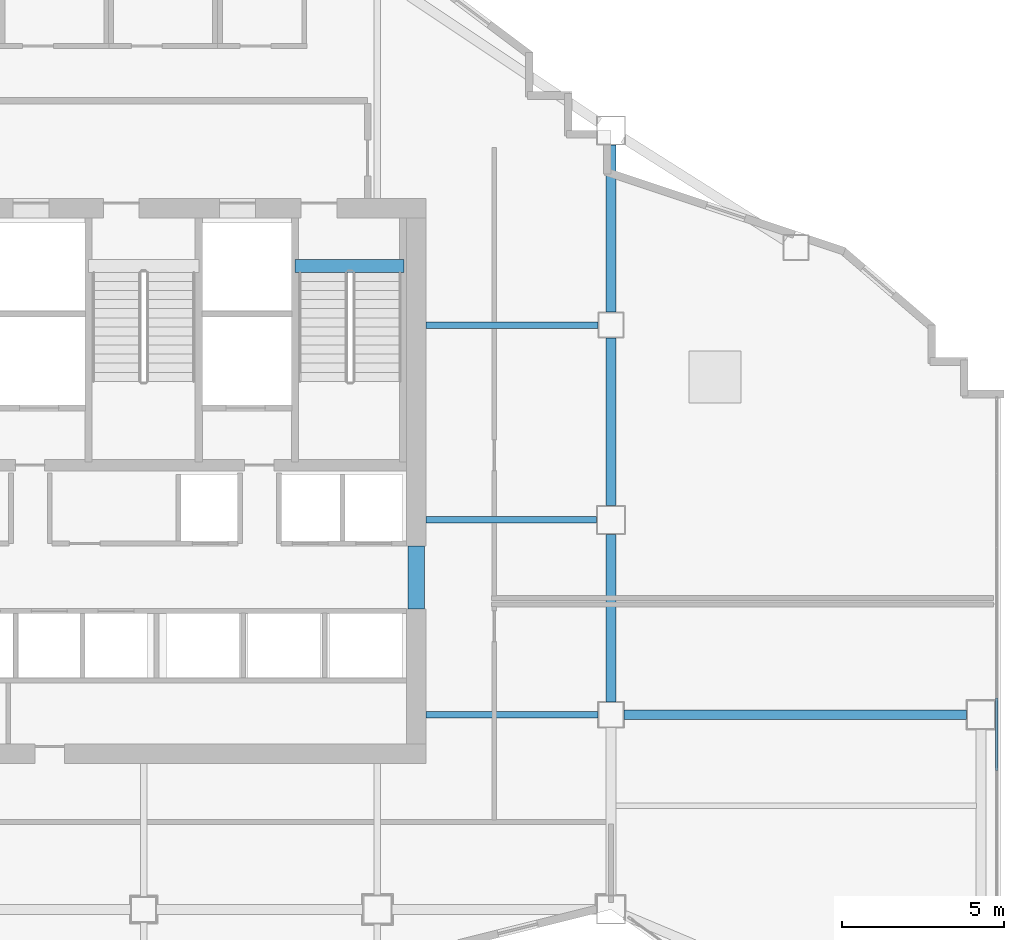
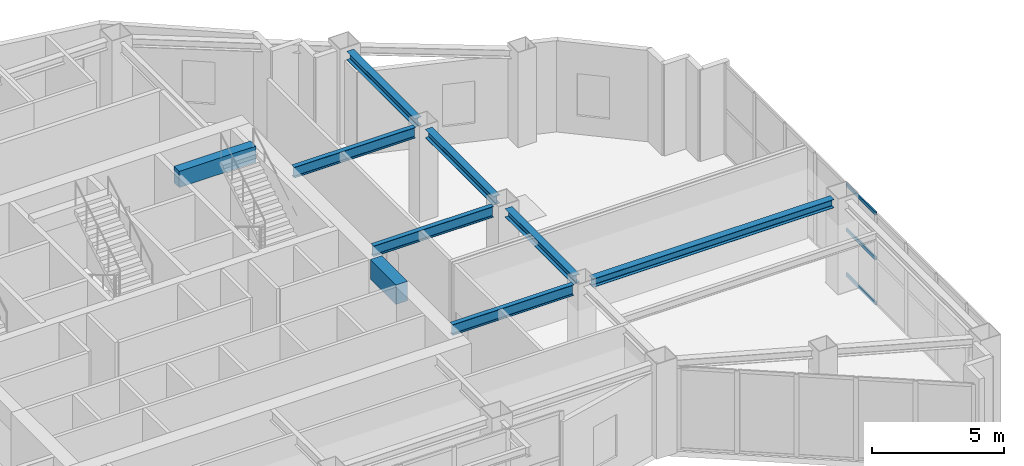
# One storey, part 6 of 16: 9 beams, 3 members, 1 element without a shape of its own.
"""IFC4 building model written with IfcOpenShell, lengths in metres."""

from ifc_helpers import new_model, si_unit, direction, frame, origin, origin_2d, place, context, subcontext, project, spatial, rectangle, hollow_rectangle, i_section, extrude, material, layer, layer_set, material_profile, profile_set, type_object, element, aggregate, save


model = new_model("IFC4")

# Units and contexts
model_context = context("Model", 3, precision=1e-05, world=origin(), true_north=direction((0.0, 1.0)))
body_context = subcontext(model_context, "Body", "Model", "MODEL_VIEW")
ifc_project = project(units=[si_unit("LENGTHUNIT", "METRE"), si_unit("AREAUNIT", "SQUARE_METRE"), si_unit("VOLUMEUNIT", "CUBIC_METRE"), si_unit("PLANEANGLEUNIT", "RADIAN"), si_unit("MASSUNIT", "GRAM", prefix="KILO")], contexts=[model_context])

# Site, building, storey
site_placement = place(None, origin())
site = spatial("IfcSite", under=ifc_project, at=site_placement, CompositionType="ELEMENT")
building_placement = place(site_placement, origin())
building = spatial("IfcBuilding", under=site, at=building_placement, Name="Haolan Belvedere Tower", CompositionType="ELEMENT")
storey_placement = place(building_placement, frame((0.0, 0.0, 164.60009765625)))
storey = spatial("IfcBuildingStorey", under=building, at=storey_placement, Name="L41", CompositionType="ELEMENT", Elevation=164.60009765625)

# Beams
ifc_material_1 = material(Name="Steel Q355B", Category="steel")
ifc_material_profile_1 = material_profile(ifc_material_1, i_section(OverallWidth=0.300048828125, OverallDepth=0.389892578125, WebThickness=0.010009765625, FlangeThickness=0.01611328125, FilletRadius=0.02197265625, at=origin_2d()), Name="Steel Q355B")
ifc_profile_set_1 = profile_set([ifc_material_profile_1], Name="Steel Q355B")
beam_type_1 = type_object("IfcBeamType", Name="BM-HM390x300x10x16", PredefinedType="SPANDREL", material=ifc_profile_set_1)
for number, where, z_axis, x_axis, name in (
    (1, (52.800048828125, 28.0, 4.02490234375), (0.0, 1.0, 0.0), (-1.0, 0.0, 0.0), "L41 spandrel girder TC-T3-E1-MC-T3-ME"),
    (2, (52.800048828125, 34.050048828125, 4.02490234375), (0.0, 1.0, 0.0), (-1.0, 0.0, 0.0), "L41 spandrel girder MC-T3-ME-TC-T3-E2"),
    (3, (52.800048828125, 40.0, 4.02490234375), (0.0, 1.0, 0.0), (-1.0, 0.0, 0.0), "L41 spandrel girder TC-T3-E2-MC-T3-NE"),
):
    element("IfcBeam", number, at=place(storey_placement, frame(where, z_axis=z_axis, x_axis=x_axis)), inside=storey, type_object=beam_type_1, Name=name, PredefinedType="SPANDREL", context=body_context, shape_type="SweptSolid", body=[
        extrude(i_section(OverallWidth=0.300048828125, OverallDepth=0.389892578125, WebThickness=0.010009765625, FlangeThickness=0.01611328125, FilletRadius=0.02197265625, at=origin_2d()), origin(), (0.0, 0.0, 1.0), 5.14990234375),
    ])
beam_1_placement = place(storey_placement, frame((53.199951171875, 27.60009765625, 4.02490234375), z_axis=(1.0, 0.0, 0.0), x_axis=(0.0, 1.0, 0.0)))
element("IfcBeam", 4, at=beam_1_placement, inside=storey, type_object=beam_type_1, Name="L41 spandrel girder TC-T3-E1-MC-T4-ME", PredefinedType="SPANDREL", context=body_context, shape_type="SweptSolid", body=[
    extrude(i_section(OverallWidth=0.300048828125, OverallDepth=0.389892578125, WebThickness=0.010009765625, FlangeThickness=0.01611328125, FilletRadius=0.02197265625, at=origin_2d()), origin(), (0.0, 0.0, 1.0), 10.550048828125),
])
ifc_material_profile_2 = material_profile(ifc_material_1, i_section(OverallWidth=0.199951171875, OverallDepth=0.5, WebThickness=0.010009765625, FlangeThickness=0.01611328125, FilletRadius=0.02001953125, at=origin_2d()), Name="Steel Q355B")
ifc_profile_set_2 = profile_set([ifc_material_profile_2], Name="Steel Q355B")
beam_type_2 = type_object("IfcBeamType", Name="BM-HN500x200x10x16", PredefinedType="BEAM", material=ifc_profile_set_2)
beam_2_placement = place(storey_placement, frame((52.35009765625, 33.60009765625, 3.969970703125), z_axis=(-1.0, 0.0, 0.0), x_axis=(0.0, -1.0, 0.0)))
element("IfcBeam", 5, at=beam_2_placement, inside=storey, type_object=beam_type_2, Name="L41 core tie beam from MC-T3-ME", PredefinedType="BEAM", context=body_context, shape_type="SweptSolid", body=[
    extrude(i_section(OverallWidth=0.199951171875, OverallDepth=0.5, WebThickness=0.010009765625, FlangeThickness=0.01611328125, FilletRadius=0.02001953125, at=origin_2d()), origin(), (0.0, 0.0, 1.0), 5.25),
])
for number, where, z_axis, x_axis, name in (
    (6, (52.39990234375, 27.60009765625, 3.969970703125), (-1.0, 0.0, 0.0), (0.0, -1.0, 0.0), "L41 core tie beam from TC-T3-E1"),
    (7, (52.39990234375, 39.60009765625, 3.969970703125), (-1.0, 0.0, 0.0), (0.0, -1.0, 0.0), "L41 core tie beam from TC-T3-E2"),
):
    element("IfcBeam", number, at=place(storey_placement, frame(where, z_axis=z_axis, x_axis=x_axis)), inside=storey, type_object=beam_type_2, Name=name, PredefinedType="BEAM", context=body_context, shape_type="SweptSolid", body=[
        extrude(i_section(OverallWidth=0.199951171875, OverallDepth=0.5, WebThickness=0.010009765625, FlangeThickness=0.01611328125, FilletRadius=0.02001953125, at=origin_2d()), origin(), (0.0, 0.0, 1.0), 5.2998046875),
    ])
ifc_material_2 = material(Name="Concrete C50/60", Category="concrete")
ifc_material_profile_3 = material_profile(ifc_material_2, rectangle(XDim=0.39990234375, YDim=0.75, at=origin_2d()), Name="Concrete C50/60")
ifc_profile_set_3 = profile_set([ifc_material_profile_3], Name="Concrete C50/60")
beam_type_3 = type_object("IfcBeamType", Name="BM-RC400x750", PredefinedType="T_BEAM", material=ifc_profile_set_3)
beam_3_placement = place(storey_placement, frame((43.06005859375, 41.429931640625, 4.02490234375), z_axis=(1.0, 0.0, 0.0), x_axis=(0.0, 1.0, 0.0)))
element("IfcBeam", 8, at=beam_3_placement, inside=storey, type_object=beam_type_3, Name="L42 stair ST2 RC header trimmer beam", PredefinedType="BEAM", context=body_context, shape_type="SweptSolid", body=[
    extrude(rectangle(XDim=0.39990234375, YDim=0.75, at=origin_2d()), origin(), (0.0, 0.0, 1.0), 3.35986328125),
])
ifc_material_3 = material(Name="Concrete C60/75", Category="concrete")
ifc_material_profile_4 = material_profile(ifc_material_3, rectangle(XDim=0.5, YDim=0.89990234375, at=origin_2d()), Name="Concrete C60/75")
ifc_profile_set_4 = profile_set([ifc_material_profile_4], Name="Concrete C60/75")
beam_type_4 = type_object("IfcBeamType", Name="BM-RC500x900", PredefinedType="LINTEL", material=ifc_profile_set_4)
beam_4_placement = place(storey_placement, frame((46.800048828125, 30.85009765625, 3.77001953125), z_axis=(0.0, 1.0, 0.0), x_axis=(-1.0, 0.0, 0.0)))
element("IfcBeam", 9, at=beam_4_placement, inside=storey, type_object=beam_type_4, Name="L41 east core coupling beam CB-01", PredefinedType="LINTEL", context=body_context, shape_type="SweptSolid", body=[
    extrude(rectangle(XDim=0.5, YDim=0.89990234375, at=origin_2d()), origin(), (0.0, 0.0, 1.0), 1.949951171875),
])

# Curtain wall, members
ifc_material_4 = material(Name="Anodised champagne-silver aluminium 6063-T6 and Low-E glass", Category="aluminium")
ifc_layer = layer(ifc_material_4, 0.195068359375, Name="Anodised champagne-silver aluminium 6063-T6 and Low-E glass")
ifc_layer_set = layer_set([ifc_layer], Name="Anodised champagne-silver aluminium 6063-T6 and Low-E glass")
curtain_wall_type = type_object("IfcCurtainWallType", Name="CW-SYS-06", PredefinedType="NOTDEFINED", material=ifc_layer_set)
curtain_wall_placement = place(storey_placement, origin())
curtain_wall = element("IfcCurtainWall", 10, at=curtain_wall_placement, inside=storey, type_object=curtain_wall_type, Name="L41 CW-SYS-06 ribbon curtain wall 8.1", PredefinedType="NOTDEFINED")
ifc_material_5 = material(Name="Anodised aluminium 6063-T6", Category="aluminium")
ifc_material_profile_5 = material_profile(ifc_material_5, hollow_rectangle(XDim=0.06494140625, YDim=0.14990234375, WallThickness=0.00390625, at=origin_2d()), Name="Anodised aluminium 6063-T6")
ifc_profile_set_5 = profile_set([ifc_material_profile_5], Name="Anodised aluminium 6063-T6")
member_type = type_object("IfcMemberType", Name="CW-SYS-06-TRN", PredefinedType="USERDEFINED", material=ifc_profile_set_5)
member_1_placement = place(storey_placement, frame((64.679931640625, 25.88623046875, 0.032470703125), z_axis=(0.0, 1.0, 0.0), x_axis=(-1.0, 0.0, 0.0)))
member_1 = element("IfcMember", 11, at=member_1_placement, type_object=member_type, Name="CW-06 transom 5.1", ObjectType="TRANSOM", PredefinedType="USERDEFINED", context=body_context, shape_type="SweptSolid", body=[
    extrude(hollow_rectangle(XDim=0.06494140625, YDim=0.14990234375, WallThickness=0.00390625, at=origin_2d()), origin(), (0.0, 0.0, 1.0), 2.2275390625),
])
member_2_placement = place(storey_placement, frame((64.679931640625, 25.88623046875, 2.10986328125), z_axis=(0.0, 1.0, 0.0), x_axis=(-1.0, 0.0, 0.0)))
member_2 = element("IfcMember", 12, at=member_2_placement, type_object=member_type, Name="CW-06 transom 5.2", ObjectType="TRANSOM", PredefinedType="USERDEFINED", context=body_context, shape_type="SweptSolid", body=[
    extrude(hollow_rectangle(XDim=0.06494140625, YDim=0.14990234375, WallThickness=0.00390625, at=origin_2d()), origin(), (0.0, 0.0, 1.0), 2.2275390625),
])
member_3_placement = place(storey_placement, frame((64.679931640625, 25.88623046875, 4.1875), z_axis=(0.0, 1.0, 0.0), x_axis=(-1.0, 0.0, 0.0)))
member_3 = element("IfcMember", 13, at=member_3_placement, type_object=member_type, Name="CW-06 transom 5.3", ObjectType="TRANSOM", PredefinedType="USERDEFINED", context=body_context, shape_type="SweptSolid", body=[
    extrude(hollow_rectangle(XDim=0.06494140625, YDim=0.14990234375, WallThickness=0.00390625, at=origin_2d()), origin(), (0.0, 0.0, 1.0), 2.2275390625),
])
aggregate(curtain_wall, [member_1, member_2, member_3])

save(model, "model.ifc")
